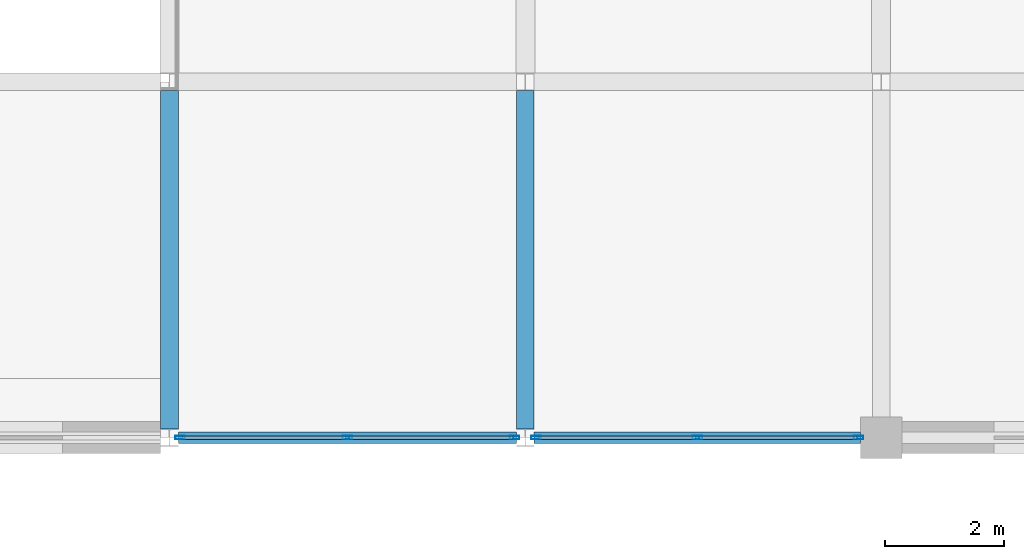
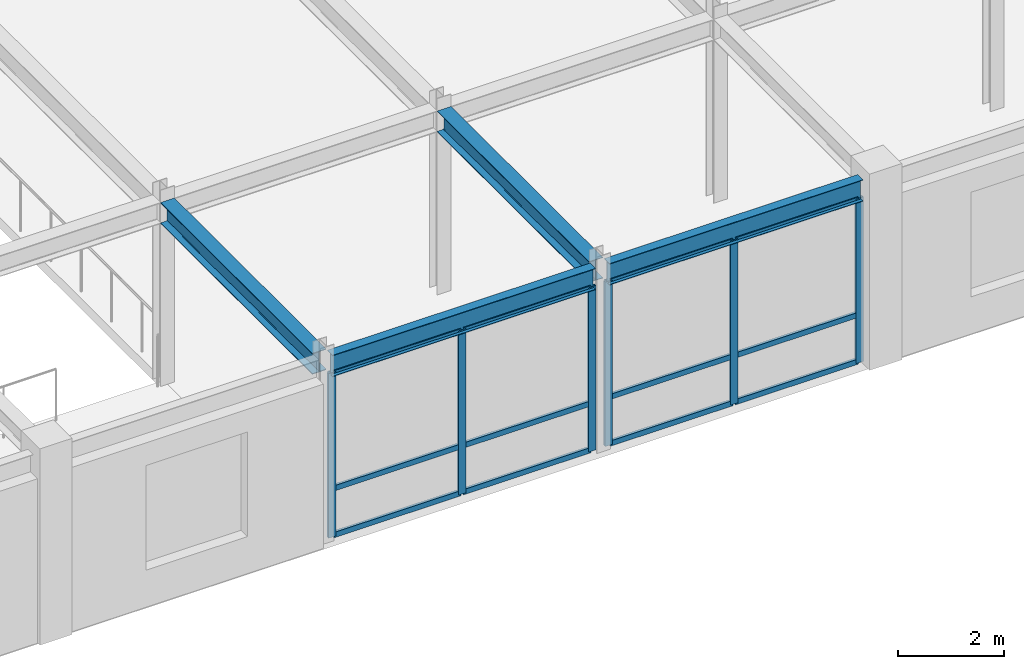
# One storey, part 54 of 108: 18 members, 4 beams, 2 elements without a shape of their own.
"""IFC4 building model written with IfcOpenShell, lengths in metres."""

from ifc_helpers import new_model, si_unit, direction, frame, origin, origin_2d, place, context, subcontext, project, spatial, hollow_rectangle, i_section, extrude, material, layer, layer_set, material_profile, profile_set, type_object, element, aggregate, save


model = new_model("IFC4")

# Units and contexts
model_context = context("Model", 3, precision=1e-05, world=origin(), true_north=direction((0.0, 1.0)))
body_context = subcontext(model_context, "Body", "Model", "MODEL_VIEW")
ifc_project = project(units=[si_unit("LENGTHUNIT", "METRE"), si_unit("AREAUNIT", "SQUARE_METRE"), si_unit("VOLUMEUNIT", "CUBIC_METRE"), si_unit("PLANEANGLEUNIT", "RADIAN"), si_unit("MASSUNIT", "GRAM", prefix="KILO")], contexts=[model_context])

# Site, building, storey
site_placement = place(None, origin())
site = spatial("IfcSite", under=ifc_project, at=site_placement, CompositionType="ELEMENT")
building_placement = place(site_placement, origin())
building = spatial("IfcBuilding", under=site, at=building_placement, Name="Zlatovratsky Civic Hall", CompositionType="ELEMENT")
storey_placement = place(building_placement, frame((0.0, 0.0, 12.0)))
storey = spatial("IfcBuildingStorey", under=building, at=storey_placement, Name="L03", CompositionType="ELEMENT", Elevation=12.0)

# Beams
ifc_material_1 = material(Name="Steel S355", Category="steel")
ifc_material_profile_1 = material_profile(ifc_material_1, i_section(OverallWidth=0.300048828125, OverallDepth=0.48193359375, WebThickness=0.010986328125, FlangeThickness=0.014892578125, FilletRadius=0.02392578125, at=origin_2d()), Name="50Sh1")
ifc_profile_set_1 = profile_set([ifc_material_profile_1], Name="Steel S355")
beam_type_1 = type_object("IfcBeamType", Name="Beam_LibraryGirder_50Sh1", PredefinedType="BEAM", material=ifc_profile_set_1)
for number, where, z_axis, x_axis, name in (
    (1, (96.0, 12.14794921875, 3.97900390625), (0.0, 1.0, 0.0), (-1.0, 0.0, 0.0), "BM-2970"),
    (2, (102.0, 12.14794921875, 3.97900390625), (0.0, 1.0, 0.0), (-1.0, 0.0, 0.0), "BM-2981"),
):
    element("IfcBeam", number, at=place(storey_placement, frame(where, z_axis=z_axis, x_axis=x_axis)), inside=storey, type_object=beam_type_1, Name=name, PredefinedType="BEAM", context=body_context, shape_type="SweptSolid", body=[
        extrude(i_section(OverallWidth=0.300048828125, OverallDepth=0.48193359375, WebThickness=0.010986328125, FlangeThickness=0.014892578125, FilletRadius=0.02392578125, at=origin_2d()), origin(), (0.0, 0.0, 1.0), 5.7041015625),
    ])
ifc_material_profile_2 = material_profile(ifc_material_1, i_section(OverallWidth=0.198974609375, OverallDepth=0.491943359375, WebThickness=0.0087890625, FlangeThickness=0.011962890625, FilletRadius=0.01611328125, at=origin_2d()), Name="50B1")
ifc_profile_set_2 = profile_set([ifc_material_profile_2], Name="Steel S355")
beam_type_2 = type_object("IfcBeamType", Name="Beam_Spandrel_50B1", PredefinedType="SPANDREL", material=ifc_profile_set_2)
beam_1_placement = place(storey_placement, frame((96.1494140625, 12.0, 3.97412109375), z_axis=(1.0, 0.0, 0.0), x_axis=(0.0, 1.0, 0.0)))
element("IfcBeam", 3, at=beam_1_placement, inside=storey, type_object=beam_type_2, Name="BM-2494", PredefinedType="SPANDREL", context=body_context, shape_type="SweptSolid", body=[
    extrude(i_section(OverallWidth=0.198974609375, OverallDepth=0.491943359375, WebThickness=0.0087890625, FlangeThickness=0.011962890625, FilletRadius=0.01611328125, at=origin_2d()), origin(), (0.0, 0.0, 1.0), 5.701171875),
])
beam_2_placement = place(storey_placement, frame((102.1494140625, 12.0, 3.97412109375), z_axis=(1.0, 0.0, 0.0), x_axis=(0.0, 1.0, 0.0)))
element("IfcBeam", 4, at=beam_2_placement, inside=storey, type_object=beam_type_2, Name="BM-2495", PredefinedType="SPANDREL", context=body_context, shape_type="SweptSolid", body=[
    extrude(i_section(OverallWidth=0.198974609375, OverallDepth=0.491943359375, WebThickness=0.0087890625, FlangeThickness=0.011962890625, FilletRadius=0.01611328125, at=origin_2d()), origin(), (0.0, 0.0, 1.0), 5.50048828125),
])

# Curtain wall, members
ifc_material_2 = material(Name="Anodised bronze aluminium", Category="aluminium")
ifc_layer_1 = layer(ifc_material_2, 0.159912109375)
ifc_layer_set_1 = layer_set([ifc_layer_1], Name="Anodised bronze aluminium")
curtain_wall_type_1 = type_object("IfcCurtainWallType", Name="CurtainWall_Bronze_5700x3770_08", PredefinedType="NOTDEFINED", material=ifc_layer_set_1)
curtain_wall_1_placement = place(storey_placement, origin())
curtain_wall_1 = element("IfcCurtainWall", 5, at=curtain_wall_1_placement, inside=storey, type_object=curtain_wall_type_1, Name="CW-049", PredefinedType="NOTDEFINED")
ifc_material_profile_3 = material_profile(ifc_material_2, hollow_rectangle(XDim=0.06005859375, YDim=0.159912109375, WallThickness=0.00390625, at=origin_2d()), Name="ALU 60x160x4")
ifc_profile_set_3 = profile_set([ifc_material_profile_3], Name="Anodised bronze aluminium")
member_type_1 = type_object("IfcMemberType", Name="CW_Mullion_60x160", PredefinedType="MULLION", material=ifc_profile_set_3)
member_1_placement = place(storey_placement, frame((96.179443359375, 12.0, 0.0), z_axis=(0.0, 0.0, 1.0), x_axis=(0.0, 1.0, 0.0)))
member_1 = element("IfcMember", 6, at=member_1_placement, type_object=member_type_1, Name="CW-08 mullion 1", PredefinedType="MULLION", context=body_context, shape_type="SweptSolid", body=[
    extrude(hollow_rectangle(XDim=0.06005859375, YDim=0.159912109375, WallThickness=0.00390625, at=origin_2d()), origin(), (0.0, 0.0, 1.0), 3.77001953125),
])
member_2_placement = place(storey_placement, frame((99.0, 12.0, 0.0), z_axis=(0.0, 0.0, 1.0), x_axis=(0.0, 1.0, 0.0)))
member_2 = element("IfcMember", 7, at=member_2_placement, type_object=member_type_1, Name="CW-08 mullion 2", PredefinedType="MULLION", context=body_context, shape_type="SweptSolid", body=[
    extrude(hollow_rectangle(XDim=0.06005859375, YDim=0.159912109375, WallThickness=0.00390625, at=origin_2d()), origin(), (0.0, 0.0, 1.0), 3.77001953125),
])
member_3_placement = place(storey_placement, frame((101.820556640625, 12.0, 0.0), z_axis=(0.0, 0.0, 1.0), x_axis=(0.0, 1.0, 0.0)))
member_3 = element("IfcMember", 8, at=member_3_placement, type_object=member_type_1, Name="CW-08 mullion 3", PredefinedType="MULLION", context=body_context, shape_type="SweptSolid", body=[
    extrude(hollow_rectangle(XDim=0.06005859375, YDim=0.159912109375, WallThickness=0.00390625, at=origin_2d()), origin(), (0.0, 0.0, 1.0), 3.77001953125),
])

ifc_layer_2 = layer(ifc_material_2, 0.159912109375)
ifc_layer_set_2 = layer_set([ifc_layer_2], Name="Anodised bronze aluminium")
curtain_wall_type_2 = type_object("IfcCurtainWallType", Name="CurtainWall_Bronze_5500x3770_09", PredefinedType="NOTDEFINED", material=ifc_layer_set_2)
curtain_wall_2_placement = place(storey_placement, origin())
curtain_wall_2 = element("IfcCurtainWall", 9, at=curtain_wall_2_placement, inside=storey, type_object=curtain_wall_type_2, Name="CW-050", PredefinedType="NOTDEFINED")
member_4_placement = place(storey_placement, frame((102.179443359375, 12.0, 0.0), z_axis=(0.0, 0.0, 1.0), x_axis=(0.0, 1.0, 0.0)))
member_4 = element("IfcMember", 10, at=member_4_placement, type_object=member_type_1, Name="CW-09 mullion 1", PredefinedType="MULLION", context=body_context, shape_type="SweptSolid", body=[
    extrude(hollow_rectangle(XDim=0.06005859375, YDim=0.159912109375, WallThickness=0.00390625, at=origin_2d()), origin(), (0.0, 0.0, 1.0), 3.77001953125),
])
member_5_placement = place(storey_placement, frame((104.899658203125, 12.0, 0.0), z_axis=(0.0, 0.0, 1.0), x_axis=(0.0, 1.0, 0.0)))
member_5 = element("IfcMember", 11, at=member_5_placement, type_object=member_type_1, Name="CW-09 mullion 2", PredefinedType="MULLION", context=body_context, shape_type="SweptSolid", body=[
    extrude(hollow_rectangle(XDim=0.06005859375, YDim=0.159912109375, WallThickness=0.00390625, at=origin_2d()), origin(), (0.0, 0.0, 1.0), 3.77001953125),
])
member_6_placement = place(storey_placement, frame((107.6201171875, 12.0, 0.0), z_axis=(0.0, 0.0, 1.0), x_axis=(0.0, 1.0, 0.0)))
member_6 = element("IfcMember", 12, at=member_6_placement, type_object=member_type_1, Name="CW-09 mullion 3", PredefinedType="MULLION", context=body_context, shape_type="SweptSolid", body=[
    extrude(hollow_rectangle(XDim=0.06005859375, YDim=0.159912109375, WallThickness=0.00390625, at=origin_2d()), origin(), (0.0, 0.0, 1.0), 3.77001953125),
])

# Member
ifc_material_profile_4 = material_profile(ifc_material_2, hollow_rectangle(XDim=0.06005859375, YDim=0.1201171875, WallThickness=0.00390625, at=origin_2d()), Name="ALU 60x120x4")
ifc_profile_set_4 = profile_set([ifc_material_profile_4], Name="Anodised bronze aluminium")
member_type_2 = type_object("IfcMemberType", Name="CW_Transom_60x120", PredefinedType="USERDEFINED", material=ifc_profile_set_4)
member_7_placement = place(storey_placement, frame((96.20947265625, 12.0, 0.030029296875), z_axis=(1.0, 0.0, 0.0), x_axis=(0.0, 1.0, 0.0)))
member_7 = element("IfcMember", 13, at=member_7_placement, type_object=member_type_2, Name="CW-08 transom 1.1", ObjectType="TRANSOM", PredefinedType="USERDEFINED", context=body_context, shape_type="SweptSolid", body=[
    extrude(hollow_rectangle(XDim=0.06005859375, YDim=0.1201171875, WallThickness=0.00390625, at=origin_2d()), origin(), (0.0, 0.0, 1.0), 2.760498046875),
])

member_8_placement = place(storey_placement, frame((96.20947265625, 12.0, 1.10009765625), z_axis=(1.0, 0.0, 0.0), x_axis=(0.0, 1.0, 0.0)))
member_8 = element("IfcMember", 14, at=member_8_placement, type_object=member_type_2, Name="CW-08 transom 1.2", ObjectType="TRANSOM", PredefinedType="USERDEFINED", context=body_context, shape_type="SweptSolid", body=[
    extrude(hollow_rectangle(XDim=0.06005859375, YDim=0.1201171875, WallThickness=0.00390625, at=origin_2d()), origin(), (0.0, 0.0, 1.0), 2.760498046875),
])

member_9_placement = place(storey_placement, frame((96.20947265625, 12.0, 3.739990234375), z_axis=(1.0, 0.0, 0.0), x_axis=(0.0, 1.0, 0.0)))
member_9 = element("IfcMember", 15, at=member_9_placement, type_object=member_type_2, Name="CW-08 transom 1.3", ObjectType="TRANSOM", PredefinedType="USERDEFINED", context=body_context, shape_type="SweptSolid", body=[
    extrude(hollow_rectangle(XDim=0.06005859375, YDim=0.1201171875, WallThickness=0.00390625, at=origin_2d()), origin(), (0.0, 0.0, 1.0), 2.760498046875),
])

member_10_placement = place(storey_placement, frame((99.030029296875, 12.0, 0.030029296875), z_axis=(1.0, 0.0, 0.0), x_axis=(0.0, 1.0, 0.0)))
member_10 = element("IfcMember", 16, at=member_10_placement, type_object=member_type_2, Name="CW-08 transom 2.1", ObjectType="TRANSOM", PredefinedType="USERDEFINED", context=body_context, shape_type="SweptSolid", body=[
    extrude(hollow_rectangle(XDim=0.06005859375, YDim=0.1201171875, WallThickness=0.00390625, at=origin_2d()), origin(), (0.0, 0.0, 1.0), 2.760498046875),
])

member_11_placement = place(storey_placement, frame((99.030029296875, 12.0, 1.10009765625), z_axis=(1.0, 0.0, 0.0), x_axis=(0.0, 1.0, 0.0)))
member_11 = element("IfcMember", 17, at=member_11_placement, type_object=member_type_2, Name="CW-08 transom 2.2", ObjectType="TRANSOM", PredefinedType="USERDEFINED", context=body_context, shape_type="SweptSolid", body=[
    extrude(hollow_rectangle(XDim=0.06005859375, YDim=0.1201171875, WallThickness=0.00390625, at=origin_2d()), origin(), (0.0, 0.0, 1.0), 2.760498046875),
])

member_12_placement = place(storey_placement, frame((99.030029296875, 12.0, 3.739990234375), z_axis=(1.0, 0.0, 0.0), x_axis=(0.0, 1.0, 0.0)))
member_12 = element("IfcMember", 18, at=member_12_placement, type_object=member_type_2, Name="CW-08 transom 2.3", ObjectType="TRANSOM", PredefinedType="USERDEFINED", context=body_context, shape_type="SweptSolid", body=[
    extrude(hollow_rectangle(XDim=0.06005859375, YDim=0.1201171875, WallThickness=0.00390625, at=origin_2d()), origin(), (0.0, 0.0, 1.0), 2.760498046875),
])

aggregate(curtain_wall_1, [member_1, member_2, member_3, member_7, member_8, member_9, member_10, member_11, member_12])

member_13_placement = place(storey_placement, frame((102.20947265625, 12.0, 0.030029296875), z_axis=(1.0, 0.0, 0.0), x_axis=(0.0, 1.0, 0.0)))
member_13 = element("IfcMember", 19, at=member_13_placement, type_object=member_type_2, Name="CW-09 transom 1.1", ObjectType="TRANSOM", PredefinedType="USERDEFINED", context=body_context, shape_type="SweptSolid", body=[
    extrude(hollow_rectangle(XDim=0.06005859375, YDim=0.1201171875, WallThickness=0.00390625, at=origin_2d()), origin(), (0.0, 0.0, 1.0), 2.66015625),
])

member_14_placement = place(storey_placement, frame((102.20947265625, 12.0, 1.10009765625), z_axis=(1.0, 0.0, 0.0), x_axis=(0.0, 1.0, 0.0)))
member_14 = element("IfcMember", 20, at=member_14_placement, type_object=member_type_2, Name="CW-09 transom 1.2", ObjectType="TRANSOM", PredefinedType="USERDEFINED", context=body_context, shape_type="SweptSolid", body=[
    extrude(hollow_rectangle(XDim=0.06005859375, YDim=0.1201171875, WallThickness=0.00390625, at=origin_2d()), origin(), (0.0, 0.0, 1.0), 2.66015625),
])

member_15_placement = place(storey_placement, frame((102.20947265625, 12.0, 3.739990234375), z_axis=(1.0, 0.0, 0.0), x_axis=(0.0, 1.0, 0.0)))
member_15 = element("IfcMember", 21, at=member_15_placement, type_object=member_type_2, Name="CW-09 transom 1.3", ObjectType="TRANSOM", PredefinedType="USERDEFINED", context=body_context, shape_type="SweptSolid", body=[
    extrude(hollow_rectangle(XDim=0.06005859375, YDim=0.1201171875, WallThickness=0.00390625, at=origin_2d()), origin(), (0.0, 0.0, 1.0), 2.66015625),
])

member_16_placement = place(storey_placement, frame((104.9296875, 12.0, 0.030029296875), z_axis=(1.0, 0.0, 0.0), x_axis=(0.0, 1.0, 0.0)))
member_16 = element("IfcMember", 22, at=member_16_placement, type_object=member_type_2, Name="CW-09 transom 2.1", ObjectType="TRANSOM", PredefinedType="USERDEFINED", context=body_context, shape_type="SweptSolid", body=[
    extrude(hollow_rectangle(XDim=0.06005859375, YDim=0.1201171875, WallThickness=0.00390625, at=origin_2d()), origin(), (0.0, 0.0, 1.0), 2.660400390625),
])

member_17_placement = place(storey_placement, frame((104.9296875, 12.0, 1.10009765625), z_axis=(1.0, 0.0, 0.0), x_axis=(0.0, 1.0, 0.0)))
member_17 = element("IfcMember", 23, at=member_17_placement, type_object=member_type_2, Name="CW-09 transom 2.2", ObjectType="TRANSOM", PredefinedType="USERDEFINED", context=body_context, shape_type="SweptSolid", body=[
    extrude(hollow_rectangle(XDim=0.06005859375, YDim=0.1201171875, WallThickness=0.00390625, at=origin_2d()), origin(), (0.0, 0.0, 1.0), 2.660400390625),
])

member_18_placement = place(storey_placement, frame((104.9296875, 12.0, 3.739990234375), z_axis=(1.0, 0.0, 0.0), x_axis=(0.0, 1.0, 0.0)))
member_18 = element("IfcMember", 24, at=member_18_placement, type_object=member_type_2, Name="CW-09 transom 2.3", ObjectType="TRANSOM", PredefinedType="USERDEFINED", context=body_context, shape_type="SweptSolid", body=[
    extrude(hollow_rectangle(XDim=0.06005859375, YDim=0.1201171875, WallThickness=0.00390625, at=origin_2d()), origin(), (0.0, 0.0, 1.0), 2.660400390625),
])

aggregate(curtain_wall_2, [member_4, member_5, member_6, member_13, member_14, member_15, member_16, member_17, member_18])

save(model, "model.ifc")
